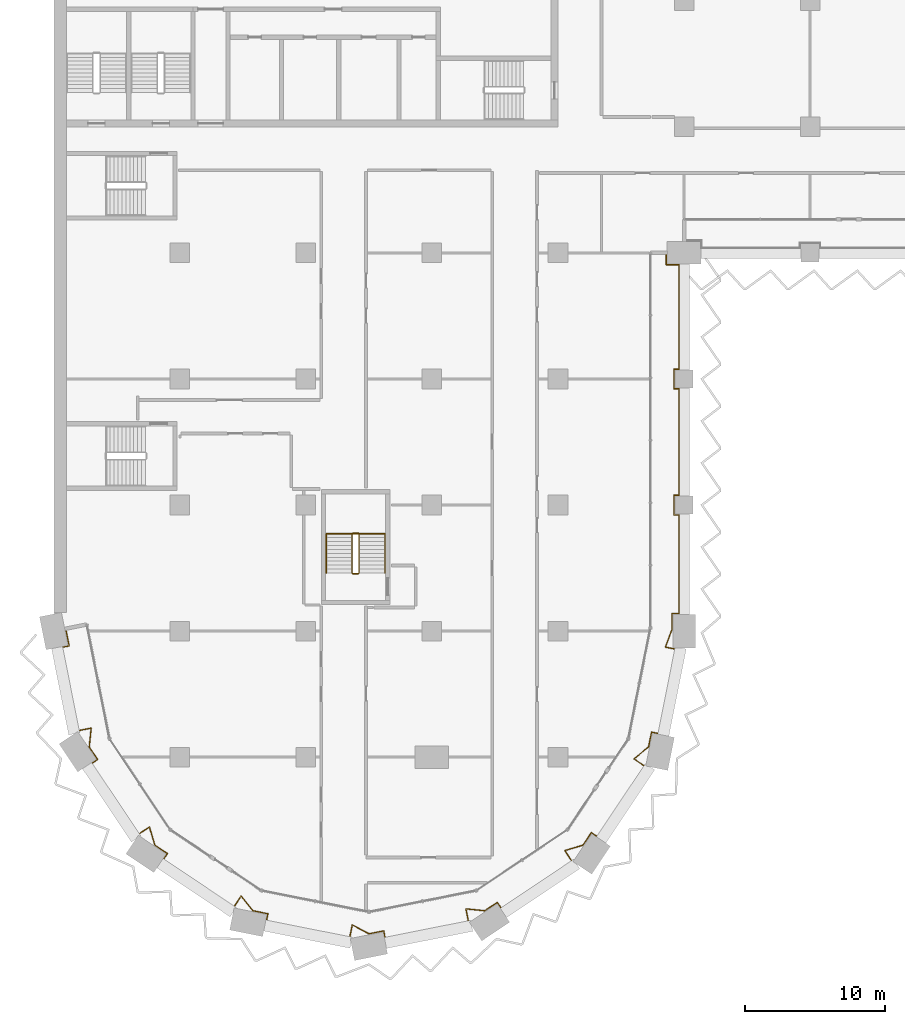
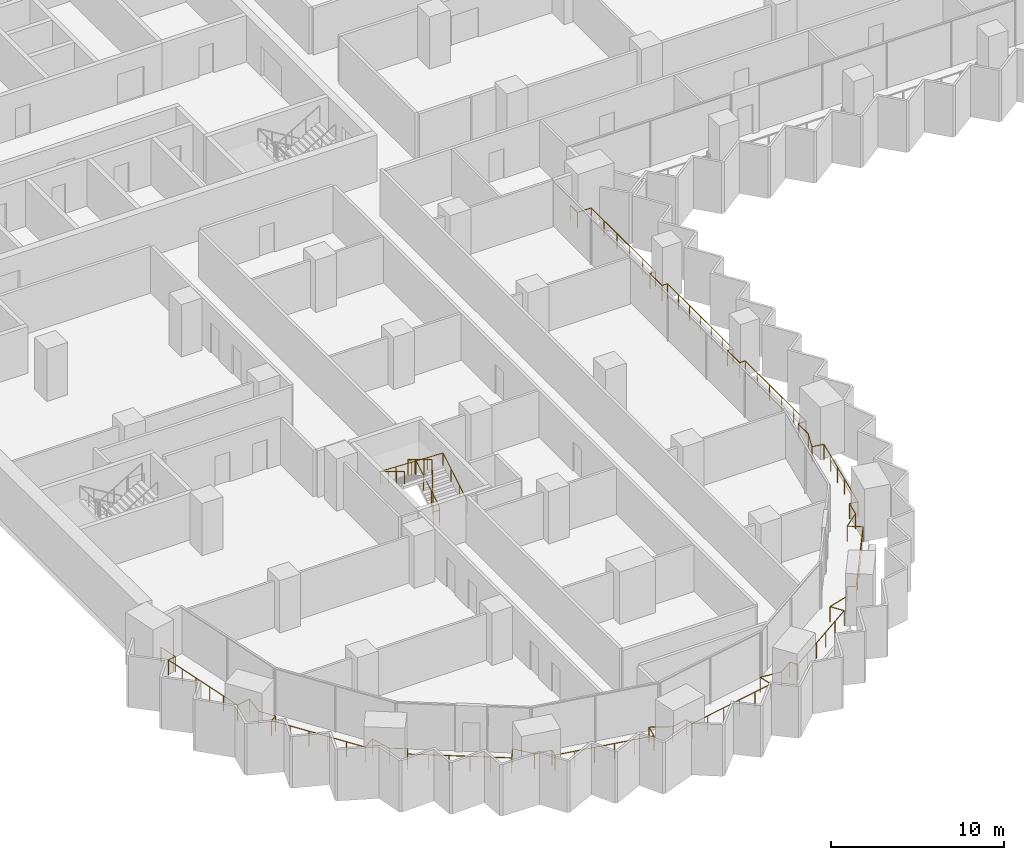
# One storey, part 25 of 29: 3 railings.
"""IFC4 building model written with IfcOpenShell, lengths in metres."""

from ifc_helpers import new_model, si_unit, direction, frame, origin, origin_2d, place, context, subcontext, project, spatial, circle, extrude, material, type_object, element, save


model = new_model("IFC4")

# Units and contexts
model_context = context("Model", 3, precision=1e-05, world=origin(), true_north=direction((0.0, 1.0)))
body_context = subcontext(model_context, "Body", "Model", "MODEL_VIEW")
ifc_project = project(units=[si_unit("LENGTHUNIT", "METRE"), si_unit("AREAUNIT", "SQUARE_METRE"), si_unit("VOLUMEUNIT", "CUBIC_METRE"), si_unit("PLANEANGLEUNIT", "RADIAN"), si_unit("MASSUNIT", "GRAM", prefix="KILO")], contexts=[model_context])

# Site, building, storey
site_placement = place(None, origin())
site = spatial("IfcSite", under=ifc_project, at=site_placement, CompositionType="ELEMENT")
building_placement = place(site_placement, origin())
building = spatial("IfcBuilding", under=site, at=building_placement, Name="Hunhe Ridgeline Campus", CompositionType="ELEMENT")
storey_placement = place(building_placement, frame((0.0, 0.0, 46.89990234375)))
storey = spatial("IfcBuildingStorey", under=building, at=storey_placement, Name="L10", CompositionType="ELEMENT", Elevation=46.89990234375)

# Railings
ifc_material_1 = material(Name="Steel Q355", Category="steel")
railing_type_1 = type_object("IfcRailingType", Name="Loggia guard 1100 Steel Q355", PredefinedType="GUARDRAIL", material=ifc_material_1)
railing_1_placement = place(storey_placement, frame((0.853271484375, 27.169677734375, 0.0)))
element("IfcRailing", 1, at=railing_1_placement, inside=storey, type_object=railing_type_1, Name="Loggia guard 1", PredefinedType="GUARDRAIL", context=body_context, shape_type="SweptSolid", body=[
    extrude(circle(Radius=0.02392578125, at=origin_2d()), frame((0.0, 0.0, 1.076171875), z_axis=(0.195139364365, -0.980775523999, 0.0), x_axis=(0.980775523999, 0.195139364365, 0.0)), (0.0, 0.0, 1.0), 1.249755859375),
    extrude(circle(Radius=0.02392578125, at=origin_2d()), frame((0.243896484375, -1.225830078125, 1.076171875), z_axis=(-0.980742851189, -0.195303506986, 0.0), x_axis=(0.195303506986, -0.980742851189, 0.0)), (0.0, 0.0, 1.0), 0.52001953125),
    extrude(circle(Radius=0.02392578125, at=origin_2d()), frame((-0.26611328125, -1.327392578125, 1.076171875), z_axis=(0.195094074844, -0.980784533912, 0.0), x_axis=(0.980784533912, 0.195094074844, 0.0)), (0.0, 0.0, 1.0), 6.064208984375),
    extrude(circle(Radius=0.02392578125, at=origin_2d()), frame((0.9169921875, -7.275146484375, 1.076171875), z_axis=(0.980774480174, 0.195144610585, 0.0), x_axis=(-0.195144610585, 0.980774480174, 0.0)), (0.0, 0.0, 1.0), 0.918212890625),
    extrude(circle(Radius=0.02392578125, at=origin_2d()), frame((1.817626953125, -7.095947265625, 1.076171875), z_axis=(-0.102578746514, -0.994724886973, 0.0), x_axis=(0.994724886973, -0.102578746514, 0.0)), (0.0, 0.0, 1.0), 1.351806640625),
    extrude(circle(Radius=0.02392578125, at=origin_2d()), frame((1.678955078125, -8.440673828125, 1.076171875), z_axis=(0.555693885997, -0.831386976724, 0.0), x_axis=(0.831386976724, 0.555693885997, 0.0)), (0.0, 0.0, 1.0), 1.076904296875),
    extrude(circle(Radius=0.02392578125, at=origin_2d()), frame((2.27734375, -9.3359375, 1.076171875), z_axis=(-0.831327417949, -0.555782982977, 0.0), x_axis=(0.555782982977, -0.831327417949, 0.0)), (0.0, 0.0, 1.0), 0.52001953125),
    extrude(circle(Radius=0.02392578125, at=origin_2d()), frame((1.844970703125, -9.625, 1.076171875), z_axis=(0.55557319973, -0.831467630002, 0.0), x_axis=(0.831467630002, 0.55557319973, 0.0)), (0.0, 0.0, 1.0), 6.064208984375),
    extrude(circle(Radius=0.02392578125, at=origin_2d()), frame((5.214111328125, -14.667236328125, 1.076171875), z_axis=(0.831395250422, 0.555681507318, 0.0), x_axis=(-0.555681507318, 0.831395250422, 0.0)), (0.0, 0.0, 1.0), 0.918212890625),
    extrude(circle(Radius=0.02392578125, at=origin_2d()), frame((5.9775390625, -14.156982421875, 1.076171875), z_axis=(0.285889499126, -0.958262591511, 0.0), x_axis=(0.958262591511, 0.285889499126, 0.0)), (0.0, 0.0, 1.0), 1.351806640625),
    extrude(circle(Radius=0.02392578125, at=origin_2d()), frame((6.364013671875, -15.452392578125, 1.076171875), z_axis=(0.831456967492, -0.555589156849, 0.0), x_axis=(0.555589156849, 0.831456967492, 0.0)), (0.0, 0.0, 1.0), 1.0771484375),
    extrude(circle(Radius=0.02392578125, at=origin_2d()), frame((7.259521484375, -16.05078125, 1.076171875), z_axis=(-0.555675381322, -0.831399344835, 0.0), x_axis=(0.831399344835, -0.555675381322, 0.0)), (0.0, 0.0, 1.0), 0.519775390625),
    extrude(circle(Radius=0.02392578125, at=origin_2d()), frame((6.970703125, -16.48291015625, 1.076171875), z_axis=(0.831467630002, -0.55557319973, 0.0), x_axis=(0.55557319973, 0.831467630002, 0.0)), (0.0, 0.0, 1.0), 6.064208984375),
    extrude(circle(Radius=0.02392578125, at=origin_2d()), frame((12.012939453125, -19.85205078125, 1.076171875), z_axis=(0.555497688072, 0.831518080709, 0.0), x_axis=(-0.831518080709, 0.555497688072, 0.0)), (0.0, 0.0, 1.0), 0.918212890625),
    extrude(circle(Radius=0.02392578125, at=origin_2d()), frame((12.52294921875, -19.088623046875, 1.076171875), z_axis=(0.630864561128, -0.775892972976, 0.0), x_axis=(0.775892972976, 0.630864561128, 0.0)), (0.0, 0.0, 1.0), 1.351806640625),
    extrude(circle(Radius=0.02392578125, at=origin_2d()), frame((13.375732421875, -20.137451171875, 1.076171875), z_axis=(0.980771998786, -0.195157081339, 0.0), x_axis=(0.195157081339, 0.980771998786, 0.0)), (0.0, 0.0, 1.0), 1.0771484375),
    extrude(circle(Radius=0.02392578125, at=origin_2d()), frame((14.43212890625, -20.34765625, 1.076171875), z_axis=(-0.195303506986, -0.980742851189, 0.0), x_axis=(0.980742851189, -0.195303506986, 0.0)), (0.0, 0.0, 1.0), 0.52001953125),
    extrude(circle(Radius=0.02392578125, at=origin_2d()), frame((14.33056640625, -20.857666015625, 1.076171875), z_axis=(0.980792236535, -0.195055347919, 0.0), x_axis=(0.195055347919, 0.980792236535, 0.0)), (0.0, 0.0, 1.0), 6.064208984375),
    extrude(circle(Radius=0.02392578125, at=origin_2d()), frame((20.2783203125, -22.04052734375, 1.076171875), z_axis=(0.195144610585, 0.980774480174, 0.0), x_axis=(-0.980774480174, 0.195144610585, 0.0)), (0.0, 0.0, 1.0), 0.918212890625),
    extrude(circle(Radius=0.02392578125, at=origin_2d()), frame((20.45751953125, -21.139892578125, 1.076171875), z_axis=(0.879704471732, -0.475520811757, 0.0), x_axis=(0.475520811757, 0.879704471732, 0.0)), (0.0, 0.0, 1.0), 1.351806640625),
    extrude(circle(Radius=0.02392578125, at=origin_2d()), frame((21.646728515625, -21.78271484375, 1.076171875), z_axis=(0.980763363144, 0.195200475189, 0.0), x_axis=(-0.195200475189, 0.980763363144, 0.0)), (0.0, 0.0, 1.0), 1.076904296875),
    extrude(circle(Radius=0.02392578125, at=origin_2d()), frame((22.702880859375, -21.572509765625, 1.076171875), z_axis=(0.195303506986, -0.980742851189, 0.0), x_axis=(0.980742851189, 0.195303506986, 0.0)), (0.0, 0.0, 1.0), 0.52001953125),
    extrude(circle(Radius=0.02392578125, at=origin_2d()), frame((22.804443359375, -22.08251953125, 1.076171875), z_axis=(0.980784533912, 0.195094074844, 0.0), x_axis=(-0.195094074844, 0.980784533912, 0.0)), (0.0, 0.0, 1.0), 6.064208984375),
    extrude(circle(Radius=0.02392578125, at=origin_2d()), frame((28.752197265625, -20.8994140625, 1.076171875), z_axis=(-0.195144610585, 0.980774480174, 0.0), x_axis=(-0.980774480174, -0.195144610585, 0.0)), (0.0, 0.0, 1.0), 0.918212890625),
    extrude(circle(Radius=0.02392578125, at=origin_2d()), frame((28.572998046875, -19.998779296875, 1.076171875), z_axis=(0.994724886973, -0.102578746514, 0.0), x_axis=(0.102578746514, 0.994724886973, 0.0)), (0.0, 0.0, 1.0), 1.351806640625),
    extrude(circle(Radius=0.02392578125, at=origin_2d()), frame((29.917724609375, -20.137451171875, 1.076171875), z_axis=(0.831386976724, 0.555693885997, 0.0), x_axis=(-0.555693885997, 0.831386976724, 0.0)), (0.0, 0.0, 1.0), 1.076904296875),
    extrude(circle(Radius=0.02392578125, at=origin_2d()), frame((30.81298828125, -19.5390625, 1.076171875), z_axis=(0.555782982977, -0.831327417949, 0.0), x_axis=(0.831327417949, 0.555782982977, 0.0)), (0.0, 0.0, 1.0), 0.52001953125),
    extrude(circle(Radius=0.02392578125, at=origin_2d()), frame((31.10205078125, -19.971435546875, 1.076171875), z_axis=(0.831467630002, 0.55557319973, 0.0), x_axis=(-0.55557319973, 0.831467630002, 0.0)), (0.0, 0.0, 1.0), 6.064208984375),
    extrude(circle(Radius=0.02392578125, at=origin_2d()), frame((36.144287109375, -16.602294921875, 1.076171875), z_axis=(-0.555681507318, 0.831395250422, 0.0), x_axis=(-0.831395250422, -0.555681507318, 0.0)), (0.0, 0.0, 1.0), 0.918212890625),
    extrude(circle(Radius=0.02392578125, at=origin_2d()), frame((35.634033203125, -15.8388671875, 1.076171875), z_axis=(0.958262591511, 0.285889499126, 0.0), x_axis=(-0.285889499126, 0.958262591511, 0.0)), (0.0, 0.0, 1.0), 1.351806640625),
    extrude(circle(Radius=0.02392578125, at=origin_2d()), frame((36.929443359375, -15.452392578125, 1.076171875), z_axis=(0.555589156849, 0.831456967492, 0.0), x_axis=(-0.831456967492, 0.555589156849, 0.0)), (0.0, 0.0, 1.0), 1.0771484375),
    extrude(circle(Radius=0.02392578125, at=origin_2d()), frame((37.52783203125, -14.556884765625, 1.076171875), z_axis=(0.831399344835, -0.555675381322, 0.0), x_axis=(0.555675381322, 0.831399344835, 0.0)), (0.0, 0.0, 1.0), 0.519775390625),
    extrude(circle(Radius=0.02392578125, at=origin_2d()), frame((37.9599609375, -14.845703125, 1.076171875), z_axis=(0.55557319973, 0.831467630002, 0.0), x_axis=(-0.831467630002, 0.55557319973, 0.0)), (0.0, 0.0, 1.0), 6.064208984375),
    extrude(circle(Radius=0.02392578125, at=origin_2d()), frame((41.3291015625, -9.803466796875, 1.076171875), z_axis=(-0.831518080709, 0.555497688072, 0.0), x_axis=(-0.555497688072, -0.831518080709, 0.0)), (0.0, 0.0, 1.0), 0.918212890625),
    extrude(circle(Radius=0.02392578125, at=origin_2d()), frame((40.565673828125, -9.29345703125, 1.076171875), z_axis=(0.775892972976, 0.630864561128, 0.0), x_axis=(-0.630864561128, 0.775892972976, 0.0)), (0.0, 0.0, 1.0), 1.351806640625),
    extrude(circle(Radius=0.02392578125, at=origin_2d()), frame((41.614501953125, -8.440673828125, 1.076171875), z_axis=(0.195157081339, 0.980771998786, 0.0), x_axis=(-0.980771998786, 0.195157081339, 0.0)), (0.0, 0.0, 1.0), 1.0771484375),
    extrude(circle(Radius=0.02392578125, at=origin_2d()), frame((41.82470703125, -7.38427734375, 1.076171875), z_axis=(0.980742851189, -0.195303506986, 0.0), x_axis=(0.195303506986, 0.980742851189, 0.0)), (0.0, 0.0, 1.0), 0.52001953125),
    extrude(circle(Radius=0.02392578125, at=origin_2d()), frame((42.334716796875, -7.48583984375, 1.076171875), z_axis=(0.19507712928, 0.980787904509, 0.0), x_axis=(-0.980787904509, 0.19507712928, 0.0)), (0.0, 0.0, 1.0), 6.146240234375),
    extrude(circle(Radius=0.02392578125, at=origin_2d()), frame((43.53369140625, -1.457763671875, 1.076171875), z_axis=(-0.980808789294, 0.194972097602, 0.0), x_axis=(-0.194972097602, -0.980808789294, 0.0)), (0.0, 0.0, 1.0), 0.73876953125),
    extrude(circle(Radius=0.02392578125, at=origin_2d()), frame((42.80908203125, -1.313720703125, 1.076171875), z_axis=(0.35537018301, 0.93472564586, 0.0), x_axis=(-0.93472564586, 0.35537018301, 0.0)), (0.0, 0.0, 1.0), 1.315673828125),
    extrude(circle(Radius=0.02392578125, at=origin_2d()), frame((43.276611328125, -0.083984375, 1.076171875), z_axis=(0.0, 1.0, 0.0), x_axis=(-1.0, 0.0, 0.0)), (0.0, 0.0, 1.0), 1.164306640625),
    extrude(circle(Radius=0.02392578125, at=origin_2d()), frame((43.276611328125, 1.080322265625, 1.076171875), z_axis=(1.0, 0.0, 0.0), x_axis=(0.0, 1.0, 0.0)), (0.0, 0.0, 1.0), 0.52001953125),
    extrude(circle(Radius=0.02392578125, at=origin_2d()), frame((43.796630859375, 1.080322265625, 1.076171875), z_axis=(0.0, 1.0, 0.0), x_axis=(-1.0, 0.0, 0.0)), (0.0, 0.0, 1.0), 7.050048828125),
    extrude(circle(Radius=0.02392578125, at=origin_2d()), frame((43.796630859375, 8.13037109375, 1.076171875), z_axis=(-1.0, 0.0, 0.0), x_axis=(0.0, -1.0, 0.0)), (0.0, 0.0, 1.0), 0.369873046875),
    extrude(circle(Radius=0.02392578125, at=origin_2d()), frame((43.4267578125, 8.13037109375, 1.076171875), z_axis=(0.0, 1.0, 0.0), x_axis=(-1.0, 0.0, 0.0)), (0.0, 0.0, 1.0), 1.39990234375),
    extrude(circle(Radius=0.02392578125, at=origin_2d()), frame((43.4267578125, 9.5302734375, 1.076171875), z_axis=(1.0, 0.0, 0.0), x_axis=(0.0, 1.0, 0.0)), (0.0, 0.0, 1.0), 0.369873046875),
    extrude(circle(Radius=0.02392578125, at=origin_2d()), frame((43.796630859375, 9.5302734375, 1.076171875), z_axis=(0.0, 1.0, 0.0), x_axis=(-1.0, 0.0, 0.0)), (0.0, 0.0, 1.0), 7.60009765625),
    extrude(circle(Radius=0.02392578125, at=origin_2d()), frame((43.796630859375, 17.13037109375, 1.076171875), z_axis=(-1.0, 0.0, 0.0), x_axis=(0.0, -1.0, 0.0)), (0.0, 0.0, 1.0), 0.369873046875),
    extrude(circle(Radius=0.02392578125, at=origin_2d()), frame((43.4267578125, 17.13037109375, 1.076171875), z_axis=(0.0, 1.0, 0.0), x_axis=(-1.0, 0.0, 0.0)), (0.0, 0.0, 1.0), 1.39990234375),
    extrude(circle(Radius=0.02392578125, at=origin_2d()), frame((43.4267578125, 18.5302734375, 1.076171875), z_axis=(1.0, 0.0, 0.0), x_axis=(0.0, 1.0, 0.0)), (0.0, 0.0, 1.0), 0.369873046875),
    extrude(circle(Radius=0.02392578125, at=origin_2d()), frame((43.796630859375, 18.5302734375, 1.076171875), z_axis=(0.0, 1.0, 0.0), x_axis=(-1.0, 0.0, 0.0)), (0.0, 0.0, 1.0), 7.449951171875),
    extrude(circle(Radius=0.02392578125, at=origin_2d()), frame((43.796630859375, 25.980224609375, 1.076171875), z_axis=(-1.0, 0.0, 0.0), x_axis=(0.0, -1.0, 0.0)), (0.0, 0.0, 1.0), 0.919921875),
    extrude(circle(Radius=0.02392578125, at=origin_2d()), frame((42.876708984375, 25.980224609375, 1.076171875), z_axis=(0.0, 1.0, 0.0), x_axis=(-1.0, 0.0, 0.0)), (0.0, 0.0, 1.0), 0.85009765625),
    extrude(circle(Radius=0.02099609375, at=origin_2d()), origin(), (0.0, 0.0, 1.0), 1.052001953125),
    extrude(circle(Radius=0.02099609375, at=origin_2d()), frame((0.243896484375, -1.225830078125, 0.0)), (0.0, 0.0, 1.0), 1.052001953125),
    extrude(circle(Radius=0.02099609375, at=origin_2d()), frame((-0.26611328125, -1.327392578125, 0.0)), (0.0, 0.0, 1.0), 1.052001953125),
    extrude(circle(Radius=0.02099609375, at=origin_2d()), frame((-0.029541015625, -2.516845703125, 0.0)), (0.0, 0.0, 1.0), 1.052001953125),
    extrude(circle(Radius=0.02099609375, at=origin_2d()), frame((0.20703125, -3.70654296875, 0.0)), (0.0, 0.0, 1.0), 1.052001953125),
    extrude(circle(Radius=0.02099609375, at=origin_2d()), frame((0.44384765625, -4.89599609375, 0.0)), (0.0, 0.0, 1.0), 1.052001953125),
    extrude(circle(Radius=0.02099609375, at=origin_2d()), frame((0.680419921875, -6.085693359375, 0.0)), (0.0, 0.0, 1.0), 1.052001953125),
    extrude(circle(Radius=0.02099609375, at=origin_2d()), frame((0.9169921875, -7.275146484375, 0.0)), (0.0, 0.0, 1.0), 1.052001953125),
    extrude(circle(Radius=0.02099609375, at=origin_2d()), frame((1.817626953125, -7.095947265625, 0.0)), (0.0, 0.0, 1.0), 1.052001953125),
    extrude(circle(Radius=0.02099609375, at=origin_2d()), frame((1.678955078125, -8.440673828125, 0.0)), (0.0, 0.0, 1.0), 1.052001953125),
    extrude(circle(Radius=0.02099609375, at=origin_2d()), frame((2.27734375, -9.3359375, 0.0)), (0.0, 0.0, 1.0), 1.052001953125),
    extrude(circle(Radius=0.02099609375, at=origin_2d()), frame((1.844970703125, -9.625, 0.0)), (0.0, 0.0, 1.0), 1.052001953125),
    extrude(circle(Radius=0.02099609375, at=origin_2d()), frame((2.518798828125, -10.633544921875, 0.0)), (0.0, 0.0, 1.0), 1.052001953125),
    extrude(circle(Radius=0.02099609375, at=origin_2d()), frame((3.192626953125, -11.641845703125, 0.0)), (0.0, 0.0, 1.0), 1.052001953125),
    extrude(circle(Radius=0.02099609375, at=origin_2d()), frame((3.866455078125, -12.650390625, 0.0)), (0.0, 0.0, 1.0), 1.052001953125),
    extrude(circle(Radius=0.02099609375, at=origin_2d()), frame((4.540283203125, -13.65869140625, 0.0)), (0.0, 0.0, 1.0), 1.052001953125),
    extrude(circle(Radius=0.02099609375, at=origin_2d()), frame((5.214111328125, -14.667236328125, 0.0)), (0.0, 0.0, 1.0), 1.052001953125),
    extrude(circle(Radius=0.02099609375, at=origin_2d()), frame((5.9775390625, -14.156982421875, 0.0)), (0.0, 0.0, 1.0), 1.052001953125),
    extrude(circle(Radius=0.02099609375, at=origin_2d()), frame((6.364013671875, -15.452392578125, 0.0)), (0.0, 0.0, 1.0), 1.052001953125),
    extrude(circle(Radius=0.02099609375, at=origin_2d()), frame((7.259521484375, -16.05078125, 0.0)), (0.0, 0.0, 1.0), 1.052001953125),
    extrude(circle(Radius=0.02099609375, at=origin_2d()), frame((6.970703125, -16.48291015625, 0.0)), (0.0, 0.0, 1.0), 1.052001953125),
    extrude(circle(Radius=0.02099609375, at=origin_2d()), frame((7.979248046875, -17.15673828125, 0.0)), (0.0, 0.0, 1.0), 1.052001953125),
    extrude(circle(Radius=0.02099609375, at=origin_2d()), frame((8.987548828125, -17.83056640625, 0.0)), (0.0, 0.0, 1.0), 1.052001953125),
    extrude(circle(Radius=0.02099609375, at=origin_2d()), frame((9.99609375, -18.50439453125, 0.0)), (0.0, 0.0, 1.0), 1.052001953125),
    extrude(circle(Radius=0.02099609375, at=origin_2d()), frame((11.00439453125, -19.17822265625, 0.0)), (0.0, 0.0, 1.0), 1.052001953125),
    extrude(circle(Radius=0.02099609375, at=origin_2d()), frame((12.012939453125, -19.85205078125, 0.0)), (0.0, 0.0, 1.0), 1.052001953125),
    extrude(circle(Radius=0.02099609375, at=origin_2d()), frame((12.52294921875, -19.088623046875, 0.0)), (0.0, 0.0, 1.0), 1.052001953125),
    extrude(circle(Radius=0.02099609375, at=origin_2d()), frame((13.375732421875, -20.137451171875, 0.0)), (0.0, 0.0, 1.0), 1.052001953125),
    extrude(circle(Radius=0.02099609375, at=origin_2d()), frame((14.43212890625, -20.34765625, 0.0)), (0.0, 0.0, 1.0), 1.052001953125),
    extrude(circle(Radius=0.02099609375, at=origin_2d()), frame((14.33056640625, -20.857666015625, 0.0)), (0.0, 0.0, 1.0), 1.052001953125),
    extrude(circle(Radius=0.02099609375, at=origin_2d()), frame((15.52001953125, -21.09423828125, 0.0)), (0.0, 0.0, 1.0), 1.052001953125),
    extrude(circle(Radius=0.02099609375, at=origin_2d()), frame((16.709716796875, -21.330810546875, 0.0)), (0.0, 0.0, 1.0), 1.052001953125),
    extrude(circle(Radius=0.02099609375, at=origin_2d()), frame((17.899169921875, -21.5673828125, 0.0)), (0.0, 0.0, 1.0), 1.052001953125),
    extrude(circle(Radius=0.02099609375, at=origin_2d()), frame((19.0888671875, -21.803955078125, 0.0)), (0.0, 0.0, 1.0), 1.052001953125),
    extrude(circle(Radius=0.02099609375, at=origin_2d()), frame((20.2783203125, -22.04052734375, 0.0)), (0.0, 0.0, 1.0), 1.052001953125),
    extrude(circle(Radius=0.02099609375, at=origin_2d()), frame((20.45751953125, -21.139892578125, 0.0)), (0.0, 0.0, 1.0), 1.052001953125),
    extrude(circle(Radius=0.02099609375, at=origin_2d()), frame((21.646728515625, -21.78271484375, 0.0)), (0.0, 0.0, 1.0), 1.052001953125),
    extrude(circle(Radius=0.02099609375, at=origin_2d()), frame((22.702880859375, -21.572509765625, 0.0)), (0.0, 0.0, 1.0), 1.052001953125),
    extrude(circle(Radius=0.02099609375, at=origin_2d()), frame((22.804443359375, -22.08251953125, 0.0)), (0.0, 0.0, 1.0), 1.052001953125),
    extrude(circle(Radius=0.02099609375, at=origin_2d()), frame((23.993896484375, -21.845947265625, 0.0)), (0.0, 0.0, 1.0), 1.052001953125),
    extrude(circle(Radius=0.02099609375, at=origin_2d()), frame((25.18359375, -21.609375, 0.0)), (0.0, 0.0, 1.0), 1.052001953125),
    extrude(circle(Radius=0.02099609375, at=origin_2d()), frame((26.373046875, -21.37255859375, 0.0)), (0.0, 0.0, 1.0), 1.052001953125),
    extrude(circle(Radius=0.02099609375, at=origin_2d()), frame((27.562744140625, -21.135986328125, 0.0)), (0.0, 0.0, 1.0), 1.052001953125),
    extrude(circle(Radius=0.02099609375, at=origin_2d()), frame((28.752197265625, -20.8994140625, 0.0)), (0.0, 0.0, 1.0), 1.052001953125),
    extrude(circle(Radius=0.02099609375, at=origin_2d()), frame((28.572998046875, -19.998779296875, 0.0)), (0.0, 0.0, 1.0), 1.052001953125),
    extrude(circle(Radius=0.02099609375, at=origin_2d()), frame((29.917724609375, -20.137451171875, 0.0)), (0.0, 0.0, 1.0), 1.052001953125),
    extrude(circle(Radius=0.02099609375, at=origin_2d()), frame((30.81298828125, -19.5390625, 0.0)), (0.0, 0.0, 1.0), 1.052001953125),
    extrude(circle(Radius=0.02099609375, at=origin_2d()), frame((31.10205078125, -19.971435546875, 0.0)), (0.0, 0.0, 1.0), 1.052001953125),
    extrude(circle(Radius=0.02099609375, at=origin_2d()), frame((32.110595703125, -19.297607421875, 0.0)), (0.0, 0.0, 1.0), 1.052001953125),
    extrude(circle(Radius=0.02099609375, at=origin_2d()), frame((33.118896484375, -18.623779296875, 0.0)), (0.0, 0.0, 1.0), 1.052001953125),
    extrude(circle(Radius=0.02099609375, at=origin_2d()), frame((34.12744140625, -17.949951171875, 0.0)), (0.0, 0.0, 1.0), 1.052001953125),
    extrude(circle(Radius=0.02099609375, at=origin_2d()), frame((35.1357421875, -17.276123046875, 0.0)), (0.0, 0.0, 1.0), 1.052001953125),
    extrude(circle(Radius=0.02099609375, at=origin_2d()), frame((36.144287109375, -16.602294921875, 0.0)), (0.0, 0.0, 1.0), 1.052001953125),
    extrude(circle(Radius=0.02099609375, at=origin_2d()), frame((35.634033203125, -15.8388671875, 0.0)), (0.0, 0.0, 1.0), 1.052001953125),
    extrude(circle(Radius=0.02099609375, at=origin_2d()), frame((36.929443359375, -15.452392578125, 0.0)), (0.0, 0.0, 1.0), 1.052001953125),
    extrude(circle(Radius=0.02099609375, at=origin_2d()), frame((37.52783203125, -14.556884765625, 0.0)), (0.0, 0.0, 1.0), 1.052001953125),
    extrude(circle(Radius=0.02099609375, at=origin_2d()), frame((37.9599609375, -14.845703125, 0.0)), (0.0, 0.0, 1.0), 1.052001953125),
    extrude(circle(Radius=0.02099609375, at=origin_2d()), frame((38.6337890625, -13.837158203125, 0.0)), (0.0, 0.0, 1.0), 1.052001953125),
    extrude(circle(Radius=0.02099609375, at=origin_2d()), frame((39.3076171875, -12.828857421875, 0.0)), (0.0, 0.0, 1.0), 1.052001953125),
    extrude(circle(Radius=0.02099609375, at=origin_2d()), frame((39.9814453125, -11.8203125, 0.0)), (0.0, 0.0, 1.0), 1.052001953125),
    extrude(circle(Radius=0.02099609375, at=origin_2d()), frame((40.6552734375, -10.81201171875, 0.0)), (0.0, 0.0, 1.0), 1.052001953125),
    extrude(circle(Radius=0.02099609375, at=origin_2d()), frame((41.3291015625, -9.803466796875, 0.0)), (0.0, 0.0, 1.0), 1.052001953125),
    extrude(circle(Radius=0.02099609375, at=origin_2d()), frame((40.565673828125, -9.29345703125, 0.0)), (0.0, 0.0, 1.0), 1.052001953125),
    extrude(circle(Radius=0.02099609375, at=origin_2d()), frame((41.614501953125, -8.440673828125, 0.0)), (0.0, 0.0, 1.0), 1.052001953125),
    extrude(circle(Radius=0.02099609375, at=origin_2d()), frame((41.82470703125, -7.38427734375, 0.0)), (0.0, 0.0, 1.0), 1.052001953125),
    extrude(circle(Radius=0.02099609375, at=origin_2d()), frame((42.334716796875, -7.48583984375, 0.0)), (0.0, 0.0, 1.0), 1.052001953125),
    extrude(circle(Radius=0.02099609375, at=origin_2d()), frame((42.574462890625, -6.2802734375, 0.0)), (0.0, 0.0, 1.0), 1.052001953125),
    extrude(circle(Radius=0.02099609375, at=origin_2d()), frame((42.814208984375, -5.07470703125, 0.0)), (0.0, 0.0, 1.0), 1.052001953125),
    extrude(circle(Radius=0.02099609375, at=origin_2d()), frame((43.05419921875, -3.868896484375, 0.0)), (0.0, 0.0, 1.0), 1.052001953125),
    extrude(circle(Radius=0.02099609375, at=origin_2d()), frame((43.2939453125, -2.663330078125, 0.0)), (0.0, 0.0, 1.0), 1.052001953125),
    extrude(circle(Radius=0.02099609375, at=origin_2d()), frame((43.53369140625, -1.457763671875, 0.0)), (0.0, 0.0, 1.0), 1.052001953125),
    extrude(circle(Radius=0.02099609375, at=origin_2d()), frame((42.80908203125, -1.313720703125, 0.0)), (0.0, 0.0, 1.0), 1.052001953125),
    extrude(circle(Radius=0.02099609375, at=origin_2d()), frame((43.276611328125, -0.083984375, 0.0)), (0.0, 0.0, 1.0), 1.052001953125),
    extrude(circle(Radius=0.02099609375, at=origin_2d()), frame((43.276611328125, 1.080322265625, 0.0)), (0.0, 0.0, 1.0), 1.052001953125),
    extrude(circle(Radius=0.02099609375, at=origin_2d()), frame((43.796630859375, 1.080322265625, 0.0)), (0.0, 0.0, 1.0), 1.052001953125),
    extrude(circle(Radius=0.02099609375, at=origin_2d()), frame((43.796630859375, 2.490234375, 0.0)), (0.0, 0.0, 1.0), 1.052001953125),
    extrude(circle(Radius=0.02099609375, at=origin_2d()), frame((43.796630859375, 3.900390625, 0.0)), (0.0, 0.0, 1.0), 1.052001953125),
    extrude(circle(Radius=0.02099609375, at=origin_2d()), frame((43.796630859375, 5.310302734375, 0.0)), (0.0, 0.0, 1.0), 1.052001953125),
    extrude(circle(Radius=0.02099609375, at=origin_2d()), frame((43.796630859375, 6.720458984375, 0.0)), (0.0, 0.0, 1.0), 1.052001953125),
    extrude(circle(Radius=0.02099609375, at=origin_2d()), frame((43.796630859375, 8.13037109375, 0.0)), (0.0, 0.0, 1.0), 1.052001953125),
    extrude(circle(Radius=0.02099609375, at=origin_2d()), frame((43.4267578125, 8.13037109375, 0.0)), (0.0, 0.0, 1.0), 1.052001953125),
    extrude(circle(Radius=0.02099609375, at=origin_2d()), frame((43.4267578125, 9.5302734375, 0.0)), (0.0, 0.0, 1.0), 1.052001953125),
    extrude(circle(Radius=0.02099609375, at=origin_2d()), frame((43.796630859375, 9.5302734375, 0.0)), (0.0, 0.0, 1.0), 1.052001953125),
    extrude(circle(Radius=0.02099609375, at=origin_2d()), frame((43.796630859375, 10.796875, 0.0)), (0.0, 0.0, 1.0), 1.052001953125),
    extrude(circle(Radius=0.02099609375, at=origin_2d()), frame((43.796630859375, 12.063720703125, 0.0)), (0.0, 0.0, 1.0), 1.052001953125),
    extrude(circle(Radius=0.02099609375, at=origin_2d()), frame((43.796630859375, 13.330322265625, 0.0)), (0.0, 0.0, 1.0), 1.052001953125),
    extrude(circle(Radius=0.02099609375, at=origin_2d()), frame((43.796630859375, 14.596923828125, 0.0)), (0.0, 0.0, 1.0), 1.052001953125),
    extrude(circle(Radius=0.02099609375, at=origin_2d()), frame((43.796630859375, 15.86376953125, 0.0)), (0.0, 0.0, 1.0), 1.052001953125),
    extrude(circle(Radius=0.02099609375, at=origin_2d()), frame((43.796630859375, 17.13037109375, 0.0)), (0.0, 0.0, 1.0), 1.052001953125),
    extrude(circle(Radius=0.02099609375, at=origin_2d()), frame((43.4267578125, 17.13037109375, 0.0)), (0.0, 0.0, 1.0), 1.052001953125),
    extrude(circle(Radius=0.02099609375, at=origin_2d()), frame((43.4267578125, 18.5302734375, 0.0)), (0.0, 0.0, 1.0), 1.052001953125),
    extrude(circle(Radius=0.02099609375, at=origin_2d()), frame((43.796630859375, 18.5302734375, 0.0)), (0.0, 0.0, 1.0), 1.052001953125),
    extrude(circle(Radius=0.02099609375, at=origin_2d()), frame((43.796630859375, 20.020263671875, 0.0)), (0.0, 0.0, 1.0), 1.052001953125),
    extrude(circle(Radius=0.02099609375, at=origin_2d()), frame((43.796630859375, 21.51025390625, 0.0)), (0.0, 0.0, 1.0), 1.052001953125),
    extrude(circle(Radius=0.02099609375, at=origin_2d()), frame((43.796630859375, 23.000244140625, 0.0)), (0.0, 0.0, 1.0), 1.052001953125),
    extrude(circle(Radius=0.02099609375, at=origin_2d()), frame((43.796630859375, 24.490234375, 0.0)), (0.0, 0.0, 1.0), 1.052001953125),
    extrude(circle(Radius=0.02099609375, at=origin_2d()), frame((43.796630859375, 25.980224609375, 0.0)), (0.0, 0.0, 1.0), 1.052001953125),
    extrude(circle(Radius=0.02099609375, at=origin_2d()), frame((42.876708984375, 25.980224609375, 0.0)), (0.0, 0.0, 1.0), 1.052001953125),
    extrude(circle(Radius=0.02099609375, at=origin_2d()), frame((42.876708984375, 26.830322265625, 0.0)), (0.0, 0.0, 1.0), 1.052001953125),
])
ifc_material_2 = material(Name="Stainless steel balustrade", Category="steel")
railing_type_2 = type_object("IfcRailingType", Name="Stair guard 1100 stainless", PredefinedType="GUARDRAIL", material=ifc_material_2)
railing_2_placement = place(storey_placement, frame((21.800048828125, 31.14990234375, 0.168212890625)))
element("IfcRailing", 2, at=railing_2_placement, inside=storey, type_object=railing_type_2, Name="L10 stair W3 guard", PredefinedType="GUARDRAIL", context=body_context, shape_type="SweptSolid", body=[
    extrude(circle(Radius=0.02392578125, at=origin_2d()), frame((0.0, 0.0, 1.076171875), z_axis=(0.0, 0.857242210791, 0.514913383045), x_axis=(-1.0, 0.0, 0.0)), (0.0, 0.0, 1.0), 3.266357421875),
    extrude(circle(Radius=0.02392578125, at=origin_2d()), frame((0.0, 2.800048828125, 2.7578125), z_axis=(-0.707106781187, 0.707106781187, 0.0), x_axis=(-0.707106781187, -0.707106781187, 0.0)), (0.0, 0.0, 1.0), 0.07080078125),
    extrude(circle(Radius=0.02392578125, at=origin_2d()), frame((-0.050048828125, 2.85009765625, 2.7578125), z_axis=(-1.0, 0.0, 0.0), x_axis=(0.0, -1.0, 0.0)), (0.0, 0.0, 1.0), 0.39990234375),
    extrude(circle(Radius=0.02392578125, at=origin_2d()), frame((-0.449951171875, 2.85009765625, 2.7578125), z_axis=(-0.274243871929, -0.274243871929, 0.92172696468), x_axis=(0.707106781187, -0.707106781187, 0.0)), (0.0, 0.0, 1.0), 0.1826171875),
    extrude(circle(Radius=0.02392578125, at=origin_2d()), frame((-0.5, 2.800048828125, 2.92626953125), z_axis=(0.0, -0.857242210791, 0.514913383045), x_axis=(1.0, 0.0, 0.0)), (0.0, 0.0, 1.0), 3.266357421875),
    extrude(circle(Radius=0.02392578125, at=origin_2d()), frame((-0.5, 0.0, 4.60791015625), z_axis=(0.013523534403, -0.013457565943, -0.999817987404), x_axis=(0.705375805398, 0.708833529934, 0.0)), (0.0, 0.0, 1.0), 3.700927734375),
    extrude(circle(Radius=0.02392578125, at=origin_2d()), frame((-0.449951171875, -0.0498046875, 0.90771484375), z_axis=(1.0, 0.0, 0.0), x_axis=(0.0, 1.0, 0.0)), (0.0, 0.0, 1.0), 0.39990234375),
    extrude(circle(Radius=0.02099609375, at=origin_2d()), origin(), (0.0, 0.0, 1.0), 1.052001953125),
    extrude(circle(Radius=0.02099609375, at=origin_2d()), frame((0.0, 0.933349609375, 0.560546875)), (0.0, 0.0, 1.0), 1.052001953125),
    extrude(circle(Radius=0.02099609375, at=origin_2d()), frame((0.0, 1.86669921875, 1.121337890625)), (0.0, 0.0, 1.0), 1.052001953125),
    extrude(circle(Radius=0.02099609375, at=origin_2d()), frame((0.0, 2.800048828125, 1.681884765625)), (0.0, 0.0, 1.0), 1.052001953125),
    extrude(circle(Radius=0.02099609375, at=origin_2d()), frame((-0.050048828125, 2.85009765625, 1.681884765625)), (0.0, 0.0, 1.0), 1.052001953125),
    extrude(circle(Radius=0.02099609375, at=origin_2d()), frame((-0.449951171875, 2.85009765625, 1.681884765625)), (0.0, 0.0, 1.0), 1.052001953125),
    extrude(circle(Radius=0.02099609375, at=origin_2d()), frame((-0.5, 2.800048828125, 1.85009765625)), (0.0, 0.0, 1.0), 1.052001953125),
    extrude(circle(Radius=0.02099609375, at=origin_2d()), frame((-0.5, 1.86669921875, 2.41064453125)), (0.0, 0.0, 1.0), 1.052001953125),
    extrude(circle(Radius=0.02099609375, at=origin_2d()), frame((-0.5, 0.933349609375, 2.971435546875)), (0.0, 0.0, 1.0), 1.052001953125),
    extrude(circle(Radius=0.02099609375, at=origin_2d()), frame((-0.5, 0.0, 3.531982421875)), (0.0, 0.0, 1.0), 1.052001953125),
    extrude(circle(Radius=0.02099609375, at=origin_2d()), frame((-0.487548828125, -0.012451171875, 2.60693359375)), (0.0, 0.0, 1.0), 1.052001953125),
    extrude(circle(Radius=0.02099609375, at=origin_2d()), frame((-0.47509765625, -0.02490234375, 1.681884765625)), (0.0, 0.0, 1.0), 1.052001953125),
    extrude(circle(Radius=0.02099609375, at=origin_2d()), frame((-0.46240234375, -0.037353515625, 0.7568359375)), (0.0, 0.0, 1.0), 1.052001953125),
    extrude(circle(Radius=0.02099609375, at=origin_2d()), frame((-0.449951171875, -0.0498046875, -0.168212890625)), (0.0, 0.0, 1.0), 1.052001953125),
    extrude(circle(Radius=0.02099609375, at=origin_2d()), frame((-0.050048828125, -0.0498046875, -0.168212890625)), (0.0, 0.0, 1.0), 1.052001953125),
])
ifc_material_3 = material(Name="Stainless steel handrail", Category="steel")
railing_type_3 = type_object("IfcRailingType", Name="Stair handrail 900 stainless", PredefinedType="HANDRAIL", material=ifc_material_3)
railing_3_placement = place(storey_placement, frame((23.64990234375, 31.14990234375, 0.168212890625)))
element("IfcRailing", 3, at=railing_3_placement, inside=storey, type_object=railing_type_3, Name="L10 stair W3 handrail", PredefinedType="HANDRAIL", context=body_context, shape_type="SweptSolid", body=[
    extrude(circle(Radius=0.02392578125, at=origin_2d()), frame((0.0, 0.0, 0.8759765625), z_axis=(0.0, 0.857242210791, 0.514913383045), x_axis=(-1.0, 0.0, 0.0)), (0.0, 0.0, 1.0), 3.266357421875),
    extrude(circle(Radius=0.02392578125, at=origin_2d()), frame((0.0, 2.800048828125, 2.5576171875), z_axis=(-0.999198916169, 0.0, 0.040019069537), x_axis=(0.0, -1.0, 0.0)), (0.0, 0.0, 1.0), 4.203369140625),
    extrude(circle(Radius=0.02392578125, at=origin_2d()), frame((-4.199951171875, 2.800048828125, 2.72607421875), z_axis=(0.0, -0.857242210791, 0.514913383045), x_axis=(1.0, 0.0, 0.0)), (0.0, 0.0, 1.0), 3.266357421875),
    extrude(circle(Radius=0.02099609375, at=origin_2d()), origin(), (0.0, 0.0, 1.0), 0.851806640625),
    extrude(circle(Radius=0.02099609375, at=origin_2d()), frame((0.0, 0.933349609375, 0.560546875)), (0.0, 0.0, 1.0), 0.851806640625),
    extrude(circle(Radius=0.02099609375, at=origin_2d()), frame((0.0, 1.86669921875, 1.121337890625)), (0.0, 0.0, 1.0), 0.851806640625),
    extrude(circle(Radius=0.02099609375, at=origin_2d()), frame((0.0, 2.800048828125, 1.681884765625)), (0.0, 0.0, 1.0), 0.851806640625),
    extrude(circle(Radius=0.02099609375, at=origin_2d()), frame((-1.050048828125, 2.800048828125, 1.723876953125)), (0.0, 0.0, 1.0), 0.851806640625),
    extrude(circle(Radius=0.02099609375, at=origin_2d()), frame((-2.10009765625, 2.800048828125, 1.76611328125)), (0.0, 0.0, 1.0), 0.851806640625),
    extrude(circle(Radius=0.02099609375, at=origin_2d()), frame((-3.14990234375, 2.800048828125, 1.80810546875)), (0.0, 0.0, 1.0), 0.851806640625),
    extrude(circle(Radius=0.02099609375, at=origin_2d()), frame((-4.199951171875, 2.800048828125, 1.85009765625)), (0.0, 0.0, 1.0), 0.851806640625),
    extrude(circle(Radius=0.02099609375, at=origin_2d()), frame((-4.199951171875, 1.86669921875, 2.41064453125)), (0.0, 0.0, 1.0), 0.851806640625),
    extrude(circle(Radius=0.02099609375, at=origin_2d()), frame((-4.199951171875, 0.933349609375, 2.971435546875)), (0.0, 0.0, 1.0), 0.851806640625),
    extrude(circle(Radius=0.02099609375, at=origin_2d()), frame((-4.199951171875, 0.0, 3.531982421875)), (0.0, 0.0, 1.0), 0.851806640625),
])

save(model, "model.ifc")
